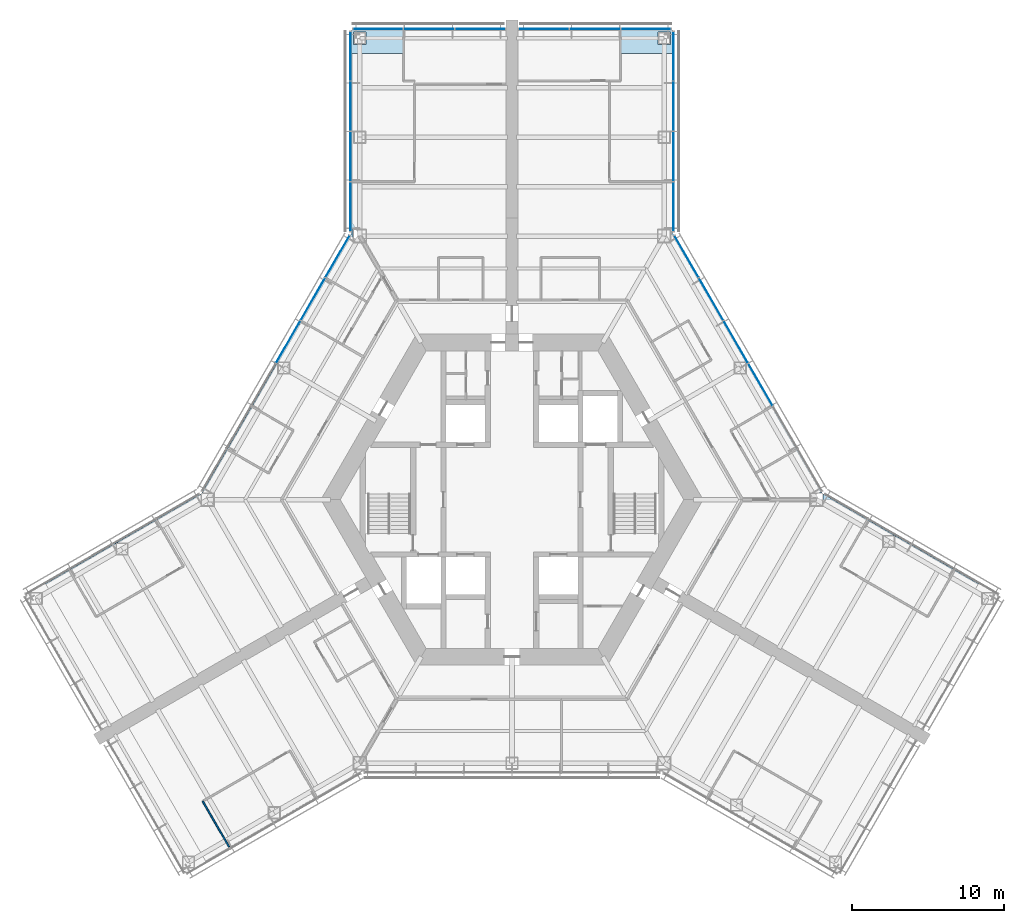
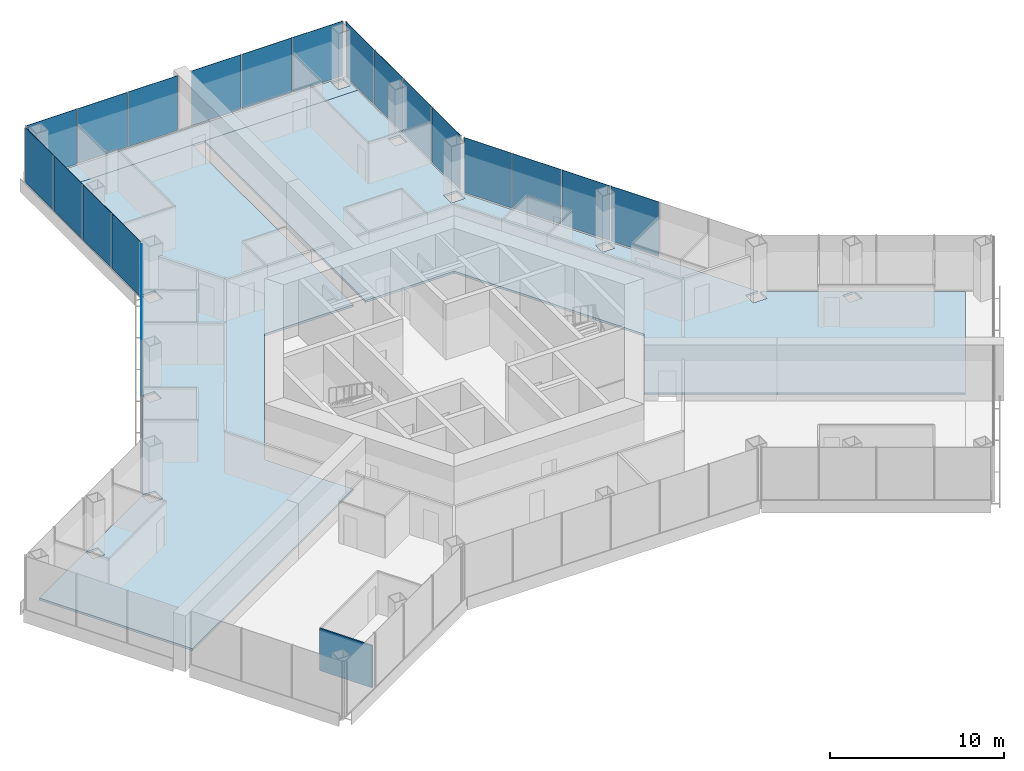
# One storey, part 11 of 18: 21 plates, 3 slabs, 1 wall, 6 elements without a shape of their own.
"""IFC4 building model written with IfcOpenShell, lengths in metres."""

from ifc_helpers import new_model, si_unit, direction, frame, frame_2d, origin, origin_2d, place, context, subcontext, project, spatial, polyline, rectangle, outline, extrude, material, layer, layer_set, type_object, element, aggregate, save


model = new_model("IFC4")

# Units and contexts
model_context = context("Model", 3, precision=1e-05, world=origin(), true_north=direction((0.0, 1.0)))
body_context = subcontext(model_context, "Body", "Model", "MODEL_VIEW")
ifc_project = project(units=[si_unit("LENGTHUNIT", "METRE"), si_unit("AREAUNIT", "SQUARE_METRE"), si_unit("VOLUMEUNIT", "CUBIC_METRE"), si_unit("PLANEANGLEUNIT", "RADIAN"), si_unit("MASSUNIT", "GRAM", prefix="KILO")], contexts=[model_context])

# Site, building, storey
site_placement = place(None, origin())
site = spatial("IfcSite", under=ifc_project, at=site_placement, CompositionType="ELEMENT")
building_placement = place(site_placement, origin())
building = spatial("IfcBuilding", under=site, at=building_placement, Name="Kasaneha Research Tower", CompositionType="ELEMENT")
storey_placement = place(building_placement, frame((0.0, 0.0, 65.10009765625)))
storey = spatial("IfcBuildingStorey", under=building, at=storey_placement, Name="L16", CompositionType="ELEMENT", Elevation=65.10009765625)

# Curtain wall, plates
ifc_material_1 = material(Name="Glass and aluminium", Category="aluminium")
curtain_wall_type = type_object("IfcCurtainWallType", Name="Low-rise office curtain wall", PredefinedType="USERDEFINED", material=ifc_material_1)
curtain_wall_1_placement = place(storey_placement, origin())
curtain_wall_1 = element("IfcCurtainWall", 1, at=curtain_wall_1_placement, inside=storey, type_object=curtain_wall_type, Name="CW-O1 L16 run 07a", ObjectType="UNITISED CURTAIN WALL", PredefinedType="USERDEFINED")
ifc_material_2 = material(Name="Laminated double glazing", Category="glass")
ifc_layer_1 = layer(ifc_material_2, 0.028076171875)
ifc_layer_set_1 = layer_set([ifc_layer_1], Name="CW-O1 glazed panel")
plate_type = type_object("IfcPlateType", Name="CW-O1 glazed panel", PredefinedType="CURTAIN_PANEL", material=ifc_layer_set_1)
plate_1_placement = place(storey_placement, frame((16.331298828125, 7.554443359375, 0.06005859375), z_axis=(0.0, 0.0, 1.0), x_axis=(-0.49999996188, 0.866025425793, 0.0)))
plate_1 = element("IfcPlate", 2, at=plate_1_placement, type_object=plate_type, Name="CW-O1 panel 3", PredefinedType="CURTAIN_PANEL", context=body_context, shape_type="SweptSolid", body=[
    extrude(rectangle(XDim=3.1865234375, YDim=0.028076171875, at=origin_2d()), origin(), (0.0, 0.0, 1.0), 3.840087890625),
])
plate_2_placement = place(storey_placement, frame((14.7080078125, 10.365966796875, 0.06005859375), z_axis=(0.0, 0.0, 1.0), x_axis=(-0.49999996188, 0.866025425793, 0.0)))
plate_2 = element("IfcPlate", 3, at=plate_2_placement, type_object=plate_type, Name="CW-O1 panel 4", PredefinedType="CURTAIN_PANEL", context=body_context, shape_type="SweptSolid", body=[
    extrude(rectangle(XDim=3.1865234375, YDim=0.028076171875, at=origin_2d()), origin(), (0.0, 0.0, 1.0), 3.840087890625),
])
plate_3_placement = place(storey_placement, frame((13.084716796875, 13.177490234375, 0.06005859375), z_axis=(0.0, 0.0, 1.0), x_axis=(-0.49999996188, 0.866025425793, 0.0)))
plate_3 = element("IfcPlate", 4, at=plate_3_placement, type_object=plate_type, Name="CW-O1 panel 5", PredefinedType="CURTAIN_PANEL", context=body_context, shape_type="SweptSolid", body=[
    extrude(rectangle(XDim=3.1865234375, YDim=0.028076171875, at=origin_2d()), origin(), (0.0, 0.0, 1.0), 3.840087890625),
])
plate_4_placement = place(storey_placement, frame((11.468994140625, 15.975830078125, 0.06005859375), z_axis=(0.0, 0.0, 1.0), x_axis=(-0.49999996188, 0.866025425793, 0.0)))
plate_4 = element("IfcPlate", 5, at=plate_4_placement, type_object=plate_type, Name="CW-O1 panel 6", PredefinedType="CURTAIN_PANEL", context=body_context, shape_type="SweptSolid", body=[
    extrude(rectangle(XDim=3.156494140625, YDim=0.028076171875, at=origin_2d()), origin(), (0.0, 0.0, 1.0), 3.840087890625),
])
aggregate(curtain_wall_1, [plate_1, plate_2, plate_3, plate_4])

curtain_wall_2_placement = place(storey_placement, origin())
curtain_wall_2 = element("IfcCurtainWall", 6, at=curtain_wall_2_placement, inside=storey, type_object=curtain_wall_type, Name="CW-O1 L16 run 08a", ObjectType="UNITISED CURTAIN WALL", PredefinedType="USERDEFINED")
plate_5_placement = place(storey_placement, frame((10.60009765625, 19.251220703125, 0.06005859375), z_axis=(0.0, 0.0, 1.0), x_axis=(0.0, 1.0, 0.0)))
plate_5 = element("IfcPlate", 7, at=plate_5_placement, type_object=plate_type, Name="CW-O1 panel 1", PredefinedType="CURTAIN_PANEL", context=body_context, shape_type="SweptSolid", body=[
    extrude(rectangle(XDim=3.2197265625, YDim=0.028076171875, at=origin_2d()), origin(), (0.0, 0.0, 1.0), 3.840087890625),
])
plate_6_placement = place(storey_placement, frame((10.60009765625, 22.5458984375, 0.06005859375), z_axis=(0.0, 0.0, 1.0), x_axis=(0.0, 1.0, 0.0)))
plate_6 = element("IfcPlate", 8, at=plate_6_placement, type_object=plate_type, Name="CW-O1 panel 2", PredefinedType="CURTAIN_PANEL", context=body_context, shape_type="SweptSolid", body=[
    extrude(rectangle(XDim=3.249755859375, YDim=0.028076171875, at=origin_2d()), origin(), (0.0, 0.0, 1.0), 3.840087890625),
])
plate_7_placement = place(storey_placement, frame((10.60009765625, 25.855712890625, 0.06005859375), z_axis=(0.0, 0.0, 1.0), x_axis=(0.0, 1.0, 0.0)))
plate_7 = element("IfcPlate", 9, at=plate_7_placement, type_object=plate_type, Name="CW-O1 panel 3", PredefinedType="CURTAIN_PANEL", context=body_context, shape_type="SweptSolid", body=[
    extrude(rectangle(XDim=3.249755859375, YDim=0.028076171875, at=origin_2d()), origin(), (0.0, 0.0, 1.0), 3.840087890625),
])
plate_8_placement = place(storey_placement, frame((10.60009765625, 29.150634765625, 0.06005859375), z_axis=(0.0, 0.0, 1.0), x_axis=(0.0, 1.0, 0.0)))
plate_8 = element("IfcPlate", 10, at=plate_8_placement, type_object=plate_type, Name="CW-O1 panel 4", PredefinedType="CURTAIN_PANEL", context=body_context, shape_type="SweptSolid", body=[
    extrude(rectangle(XDim=3.2197265625, YDim=0.028076171875, at=origin_2d()), origin(), (0.0, 0.0, 1.0), 3.840087890625),
])
aggregate(curtain_wall_2, [plate_5, plate_6, plate_7, plate_8])

curtain_wall_3_placement = place(storey_placement, origin())
curtain_wall_3 = element("IfcCurtainWall", 11, at=curtain_wall_3_placement, inside=storey, type_object=curtain_wall_type, Name="CW-O1 L16 run 09a", ObjectType="UNITISED CURTAIN WALL", PredefinedType="USERDEFINED")
plate_9_placement = place(storey_placement, frame((8.8017578125, 30.92041015625, 0.06005859375), z_axis=(0.0, 0.0, 1.0), x_axis=(-1.0, 0.0, 0.0)))
plate_9 = element("IfcPlate", 12, at=plate_9_placement, type_object=plate_type, Name="CW-O1 panel 1", PredefinedType="CURTAIN_PANEL", context=body_context, shape_type="SweptSolid", body=[
    extrude(rectangle(XDim=3.276611328125, YDim=0.028076171875, at=origin_2d()), origin(), (0.0, 0.0, 1.0), 3.840087890625),
])
plate_10_placement = place(storey_placement, frame((5.449951171875, 30.92041015625, 0.06005859375), z_axis=(0.0, 0.0, 1.0), x_axis=(-1.0, 0.0, 0.0)))
plate_10 = element("IfcPlate", 13, at=plate_10_placement, type_object=plate_type, Name="CW-O1 panel 2", PredefinedType="CURTAIN_PANEL", context=body_context, shape_type="SweptSolid", body=[
    extrude(rectangle(XDim=3.306640625, YDim=0.028076171875, at=origin_2d()), origin(), (0.0, 0.0, 1.0), 3.840087890625),
])
plate_11_placement = place(storey_placement, frame((2.098388671875, 30.92041015625, 0.06005859375), z_axis=(0.0, 0.0, 1.0), x_axis=(-1.0, 0.0, 0.0)))
plate_11 = element("IfcPlate", 14, at=plate_11_placement, type_object=plate_type, Name="CW-O1 panel 3", PredefinedType="CURTAIN_PANEL", context=body_context, shape_type="SweptSolid", body=[
    extrude(rectangle(XDim=3.276611328125, YDim=0.028076171875, at=origin_2d()), origin(), (0.0, 0.0, 1.0), 3.840087890625),
])
aggregate(curtain_wall_3, [plate_9, plate_10, plate_11])

curtain_wall_4_placement = place(storey_placement, origin())
curtain_wall_4 = element("IfcCurtainWall", 15, at=curtain_wall_4_placement, inside=storey, type_object=curtain_wall_type, Name="CW-O1 L16 run 10a", ObjectType="UNITISED CURTAIN WALL", PredefinedType="USERDEFINED")
plate_12_placement = place(storey_placement, frame((-2.098388671875, 30.92041015625, 0.06005859375), z_axis=(0.0, 0.0, 1.0), x_axis=(-1.0, 0.0, 0.0)))
plate_12 = element("IfcPlate", 16, at=plate_12_placement, type_object=plate_type, Name="CW-O1 panel 1", PredefinedType="CURTAIN_PANEL", context=body_context, shape_type="SweptSolid", body=[
    extrude(rectangle(XDim=3.276611328125, YDim=0.028076171875, at=origin_2d()), origin(), (0.0, 0.0, 1.0), 3.840087890625),
])
plate_13_placement = place(storey_placement, frame((-5.449951171875, 30.92041015625, 0.06005859375), z_axis=(0.0, 0.0, 1.0), x_axis=(-1.0, 0.0, 0.0)))
plate_13 = element("IfcPlate", 17, at=plate_13_placement, type_object=plate_type, Name="CW-O1 panel 2", PredefinedType="CURTAIN_PANEL", context=body_context, shape_type="SweptSolid", body=[
    extrude(rectangle(XDim=3.306640625, YDim=0.028076171875, at=origin_2d()), origin(), (0.0, 0.0, 1.0), 3.840087890625),
])
plate_14_placement = place(storey_placement, frame((-8.8017578125, 30.92041015625, 0.06005859375), z_axis=(0.0, 0.0, 1.0), x_axis=(-1.0, 0.0, 0.0)))
plate_14 = element("IfcPlate", 18, at=plate_14_placement, type_object=plate_type, Name="CW-O1 panel 3", PredefinedType="CURTAIN_PANEL", context=body_context, shape_type="SweptSolid", body=[
    extrude(rectangle(XDim=3.276611328125, YDim=0.028076171875, at=origin_2d()), origin(), (0.0, 0.0, 1.0), 3.840087890625),
])
aggregate(curtain_wall_4, [plate_12, plate_13, plate_14])

curtain_wall_5_placement = place(storey_placement, origin())
curtain_wall_5 = element("IfcCurtainWall", 19, at=curtain_wall_5_placement, inside=storey, type_object=curtain_wall_type, Name="CW-O1 L16 run 11a", ObjectType="UNITISED CURTAIN WALL", PredefinedType="USERDEFINED")
plate_15_placement = place(storey_placement, frame((-10.60009765625, 29.150634765625, 0.06005859375), z_axis=(0.0, 0.0, 1.0), x_axis=(0.0, -1.0, 0.0)))
plate_15 = element("IfcPlate", 20, at=plate_15_placement, type_object=plate_type, Name="CW-O1 panel 1", PredefinedType="CURTAIN_PANEL", context=body_context, shape_type="SweptSolid", body=[
    extrude(rectangle(XDim=3.2197265625, YDim=0.028076171875, at=origin_2d()), origin(), (0.0, 0.0, 1.0), 3.840087890625),
])
plate_16_placement = place(storey_placement, frame((-10.60009765625, 25.855712890625, 0.06005859375), z_axis=(0.0, 0.0, 1.0), x_axis=(0.0, -1.0, 0.0)))
plate_16 = element("IfcPlate", 21, at=plate_16_placement, type_object=plate_type, Name="CW-O1 panel 2", PredefinedType="CURTAIN_PANEL", context=body_context, shape_type="SweptSolid", body=[
    extrude(rectangle(XDim=3.249755859375, YDim=0.028076171875, at=origin_2d()), origin(), (0.0, 0.0, 1.0), 3.840087890625),
])
plate_17_placement = place(storey_placement, frame((-10.60009765625, 22.5458984375, 0.06005859375), z_axis=(0.0, 0.0, 1.0), x_axis=(0.0, -1.0, 0.0)))
plate_17 = element("IfcPlate", 22, at=plate_17_placement, type_object=plate_type, Name="CW-O1 panel 3", PredefinedType="CURTAIN_PANEL", context=body_context, shape_type="SweptSolid", body=[
    extrude(rectangle(XDim=3.249755859375, YDim=0.028076171875, at=origin_2d()), origin(), (0.0, 0.0, 1.0), 3.840087890625),
])
plate_18_placement = place(storey_placement, frame((-10.60009765625, 19.251220703125, 0.06005859375), z_axis=(0.0, 0.0, 1.0), x_axis=(0.0, -1.0, 0.0)))
plate_18 = element("IfcPlate", 23, at=plate_18_placement, type_object=plate_type, Name="CW-O1 panel 4", PredefinedType="CURTAIN_PANEL", context=body_context, shape_type="SweptSolid", body=[
    extrude(rectangle(XDim=3.2197265625, YDim=0.028076171875, at=origin_2d()), origin(), (0.0, 0.0, 1.0), 3.840087890625),
])
aggregate(curtain_wall_5, [plate_15, plate_16, plate_17, plate_18])

curtain_wall_6_placement = place(storey_placement, origin())
curtain_wall_6 = element("IfcCurtainWall", 24, at=curtain_wall_6_placement, inside=storey, type_object=curtain_wall_type, Name="CW-O1 L16 run 12a", ObjectType="UNITISED CURTAIN WALL", PredefinedType="USERDEFINED")
plate_19_placement = place(storey_placement, frame((-11.468994140625, 15.975830078125, 0.06005859375), z_axis=(0.0, 0.0, 1.0), x_axis=(-0.49999996188, -0.866025425793, 0.0)))
plate_19 = element("IfcPlate", 25, at=plate_19_placement, type_object=plate_type, Name="CW-O1 panel 1", PredefinedType="CURTAIN_PANEL", context=body_context, shape_type="SweptSolid", body=[
    extrude(rectangle(XDim=3.156494140625, YDim=0.028076171875, at=origin_2d()), origin(), (0.0, 0.0, 1.0), 3.840087890625),
])
plate_20_placement = place(storey_placement, frame((-13.084716796875, 13.177490234375, 0.06005859375), z_axis=(0.0, 0.0, 1.0), x_axis=(-0.49999996188, -0.866025425793, 0.0)))
plate_20 = element("IfcPlate", 26, at=plate_20_placement, type_object=plate_type, Name="CW-O1 panel 2", PredefinedType="CURTAIN_PANEL", context=body_context, shape_type="SweptSolid", body=[
    extrude(rectangle(XDim=3.1865234375, YDim=0.028076171875, at=origin_2d()), origin(), (0.0, 0.0, 1.0), 3.840087890625),
])
plate_21_placement = place(storey_placement, frame((-14.7080078125, 10.365966796875, 0.06005859375), z_axis=(0.0, 0.0, 1.0), x_axis=(-0.49999996188, -0.866025425793, 0.0)))
plate_21 = element("IfcPlate", 27, at=plate_21_placement, type_object=plate_type, Name="CW-O1 panel 3", PredefinedType="CURTAIN_PANEL", context=body_context, shape_type="SweptSolid", body=[
    extrude(rectangle(XDim=3.1865234375, YDim=0.028076171875, at=origin_2d()), origin(), (0.0, 0.0, 1.0), 3.840087890625),
])
aggregate(curtain_wall_6, [plate_19, plate_20, plate_21])

# Slabs
ifc_material_3 = material(Name="Concrete Fc24", Category="concrete")
ifc_layer_2 = layer(ifc_material_3, 0.14990234375)
ifc_layer_set_2 = layer_set([ifc_layer_2], Name="Floor slab 150")
slab_type = type_object("IfcSlabType", Name="Floor slab 150", PredefinedType="FLOOR", material=ifc_layer_set_2)
slab_1_placement = place(storey_placement, frame((0.0, 0.0, -0.150146484375)))
element("IfcSlab", 28, at=slab_1_placement, inside=storey, type_object=slab_type, Name="Floor slab L16 2", PredefinedType="FLOOR", context=body_context, shape_type="SweptSolid", body=[
    extrude(outline(polyline([(-20.375244140625, 0.449951171875), (-15.40771484375, 9.053955078125), (-15.400146484375, 9.046142578125), (-15.400146484375, 8.26025390625), (-14.599853515625, 8.26025390625), (-14.599853515625, 9.060302734375), (-15.385986328125, 9.060302734375), (-15.3974609375, 9.07177734375), (-10.550048828125, 17.4677734375), (-10.550048828125, 29.310546875), (-0.39990234375, 29.310546875), (-0.39990234375, 10.875), (-6.278564453125, 10.875), (-12.557373046875, 0.0), (-9.617919921875, -5.091064453125), (-25.583740234375, -14.308837890625), (-30.65869140625, -5.518798828125), (-26.040771484375, -2.8525390625), (-26.029296875, -2.864013671875), (-26.029296875, -3.650146484375), (-25.22900390625, -3.650146484375), (-25.22900390625, -2.849853515625), (-26.01513671875, -2.849853515625), (-26.02294921875, -2.84228515625), (-20.449951171875, 0.375244140625), (-20.449951171875, -0.449951171875), (-19.550048828125, -0.449951171875), (-19.550048828125, 0.449951171875), (-20.375244140625, 0.449951171875)]), holes=[polyline([(-9.550048828125, 17.7705078125), (-10.449951171875, 17.7705078125), (-10.449951171875, 16.87060546875), (-9.550048828125, 16.87060546875), (-9.550048828125, 17.7705078125)]), polyline([(-9.60009765625, 23.42041015625), (-9.60009765625, 24.220458984375), (-10.39990234375, 24.220458984375), (-10.39990234375, 23.42041015625), (-9.60009765625, 23.42041015625)])]), origin(), (0.0, 0.0, 1.0), 0.150146484375),
])
slab_2_placement = place(storey_placement, frame((0.0, 0.0, -0.150146484375)))
element("IfcSlab", 29, at=slab_2_placement, inside=storey, type_object=slab_type, Name="Floor slab L16 3", PredefinedType="FLOOR", context=body_context, shape_type="SweptSolid", body=[
    extrude(outline(polyline([(10.550048828125, 29.310546875), (0.39990234375, 29.310546875), (0.39990234375, 29.320556640625), (-0.39990234375, 29.320556640625), (-0.39990234375, 29.310546875), (-10.550048828125, 29.310546875), (-10.550048828125, 30.87060546875), (10.550048828125, 30.87060546875), (10.550048828125, 29.310546875)]), holes=[polyline([(-9.60009765625, 30.720458984375), (-10.39990234375, 30.720458984375), (-10.39990234375, 29.92041015625), (-9.60009765625, 29.92041015625), (-9.60009765625, 30.720458984375)]), polyline([(10.39990234375, 29.92041015625), (10.39990234375, 30.720458984375), (9.60009765625, 30.720458984375), (9.60009765625, 29.92041015625), (10.39990234375, 29.92041015625)])]), origin(), (0.0, 0.0, 1.0), 0.150146484375),
])
slab_3_placement = place(storey_placement, frame((0.0, 0.0, -0.150146484375)))
element("IfcSlab", 30, at=slab_3_placement, inside=storey, type_object=slab_type, Name="Floor slab L16 5", PredefinedType="FLOOR", context=body_context, shape_type="SweptSolid", body=[
    extrude(outline(polyline([(9.617919921875, -5.091064453125), (12.557373046875, 0.0), (6.278564453125, 10.875), (0.39990234375, 10.875), (0.39990234375, 29.310546875), (10.550048828125, 29.310546875), (10.550048828125, 17.4677734375), (15.3974609375, 9.07177734375), (15.385986328125, 9.060302734375), (14.599853515625, 9.060302734375), (14.599853515625, 8.26025390625), (15.400146484375, 8.26025390625), (15.400146484375, 9.046142578125), (15.40771484375, 9.053955078125), (20.375244140625, 0.449951171875), (19.550048828125, 0.449951171875), (19.550048828125, -0.449951171875), (20.449951171875, -0.449951171875), (20.449951171875, 0.375244140625), (25.15673828125, -2.34228515625), (25.149169921875, -2.349853515625), (24.363037109375, -2.349853515625), (24.363037109375, -3.150146484375), (25.163330078125, -3.150146484375), (25.163330078125, -2.364013671875), (25.1748046875, -2.3525390625), (30.65869140625, -5.518798828125), (25.583740234375, -14.308837890625), (9.617919921875, -5.091064453125)]), holes=[polyline([(10.449951171875, 16.87060546875), (10.449951171875, 17.7705078125), (9.550048828125, 17.7705078125), (9.550048828125, 16.87060546875), (10.449951171875, 16.87060546875)]), polyline([(10.39990234375, 23.42041015625), (10.39990234375, 24.220458984375), (9.60009765625, 24.220458984375), (9.60009765625, 23.42041015625), (10.39990234375, 23.42041015625)])]), origin(), (0.0, 0.0, 1.0), 0.150146484375),
])

# Wall
ifc_material_4 = material(Name="Gypsum board on steel studs, one layer each side", Category="steel")
ifc_layer_3 = layer(ifc_material_4, 0.10009765625)
ifc_layer_set_3 = layer_set([ifc_layer_3], Name="Office partition 100")
wall_type = type_object("IfcWallType", Name="Office partition 100", PredefinedType="PARTITIONING", material=ifc_layer_set_3)
wall_placement = place(storey_placement, frame((-18.5849609375, -22.831298828125, 0.0), z_axis=(0.0, 0.0, 1.0), x_axis=(-0.499979528911, 0.866037222451, 0.0)))
element("IfcWall", 31, at=wall_placement, inside=storey, type_object=wall_type, Name="Office partition FBS05 L16", PredefinedType="PARTITIONING", context=body_context, shape_type="SweptSolid", body=[
    extrude(rectangle(XDim=3.480224609375, YDim=0.10009765625, at=frame_2d((1.740234375, 0.0))), origin(), (0.0, 0.0, 1.0), 2.949951171875),
])

save(model, "model.ifc")
